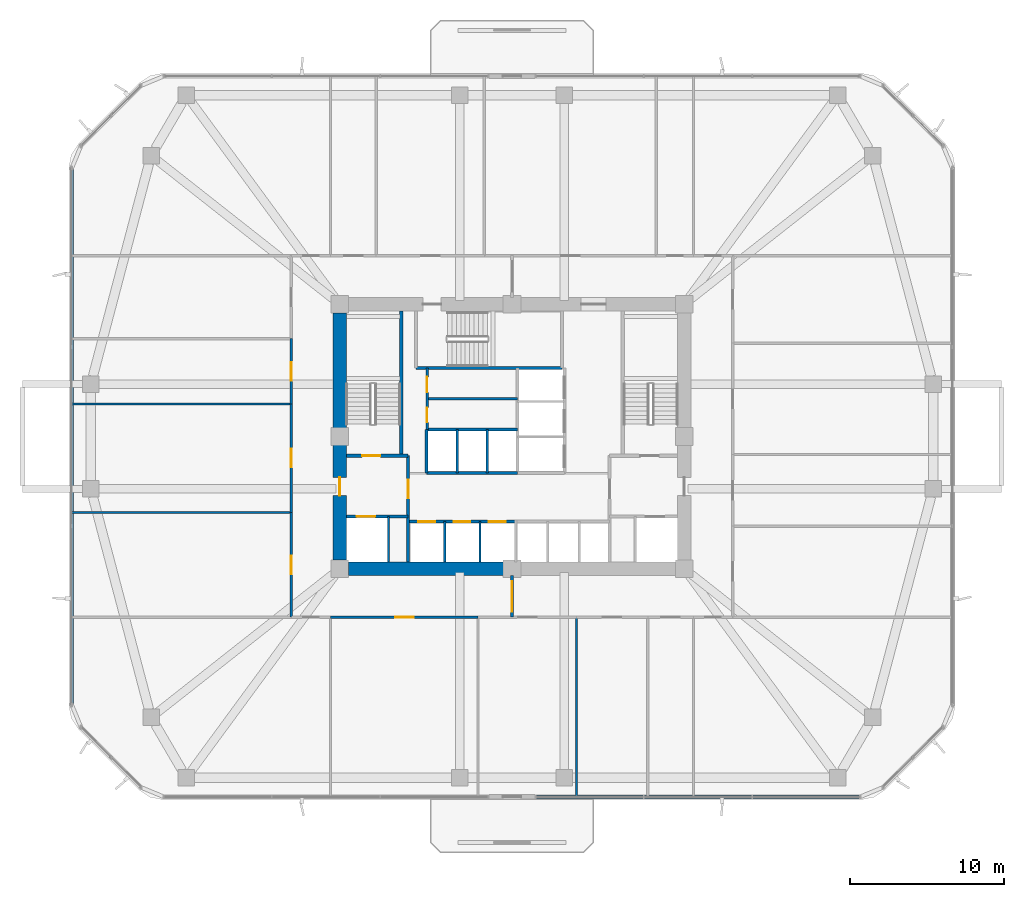
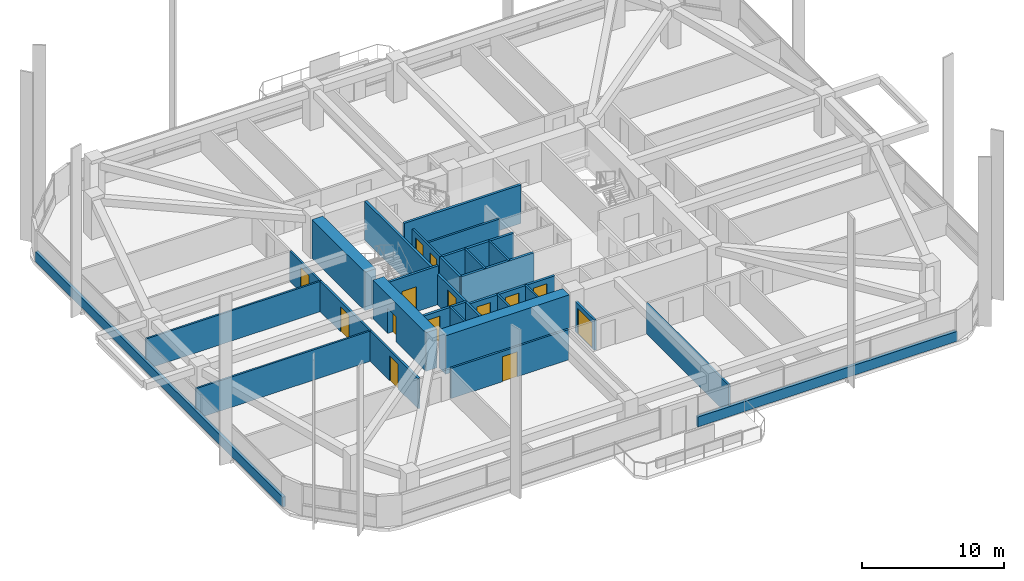
# One storey, part 9 of 17: 29 walls, 14 doors, 14 openings.
"""IFC4 building model written with IfcOpenShell, lengths in metres."""

from ifc_helpers import new_model, si_unit, derived_unit, direction, frame, frame_2d, origin, place, context, subcontext, project, spatial, rectangle, extrude, material, layer, layer_set, type_object, element, fill, save


model = new_model("IFC4")

# Units and contexts
model_context = context("Model", 3, precision=1e-05, world=origin(), true_north=direction((0.0, 1.0)))
body_context = subcontext(model_context, "Body", "Model", "MODEL_VIEW")
ifc_project = project(units=[si_unit("LENGTHUNIT", "METRE"), si_unit("AREAUNIT", "SQUARE_METRE"), si_unit("VOLUMEUNIT", "CUBIC_METRE"), si_unit("PLANEANGLEUNIT", "RADIAN"), si_unit("MASSUNIT", "GRAM", prefix="KILO"), derived_unit("THERMALTRANSMITTANCEUNIT", [(si_unit("POWERUNIT", "WATT"), 1), (si_unit("LENGTHUNIT", "METRE"), -2), (si_unit("THERMODYNAMICTEMPERATUREUNIT", "KELVIN"), -1)])], contexts=[model_context])

# Site, building, storey
site_placement = place(None, origin())
site = spatial("IfcSite", under=ifc_project, at=site_placement, CompositionType="ELEMENT")
building_placement = place(site_placement, origin())
building = spatial("IfcBuilding", under=site, at=building_placement, Name="Koralith Skygarden Medical Center", CompositionType="ELEMENT")
storey_placement = place(building_placement, frame((0.0, 0.0, 38.340087890625)))
storey = spatial("IfcBuildingStorey", under=building, at=storey_placement, Name="L09", CompositionType="ELEMENT", Elevation=38.340087890625)

# Walls
ifc_material_1 = material(Name="Gypsum Board Partition")
ifc_layer_1 = layer(ifc_material_1, 0.14990234375)
ifc_layer_set_1 = layer_set([ifc_layer_1], Name="Gypsum Board Partition")
wall_type_1 = type_object("IfcWallType", Name="Clinical Acoustic Partition 150", PredefinedType="PARTITIONING", material=ifc_layer_set_1)
wall_1_placement = place(storey_placement, frame((41.193115234375, 14.14990234375, 0.0), z_axis=(0.0, 0.0, 1.0), x_axis=(0.0, -1.0, 0.0)))
element("IfcWall", 1, at=wall_1_placement, inside=storey, type_object=wall_type_1, Name="L09 Clinical Acoustic Partition 150 W-PART-L09-S-03", PredefinedType="PARTITIONING", context=body_context, shape_type="SweptSolid", body=[
    extrude(rectangle(XDim=11.64990234375, YDim=0.14990234375, at=frame_2d((5.824951171875, 0.0))), origin(), (0.0, 0.0, 1.0), 2.60986328125),
])
for number, where, z_axis, x_axis, name in (
    (2, (22.64990234375, 20.965087890625, 0.0), (0.0, 0.0, 1.0), (-1.0, 0.0, 0.0), "L09 Clinical Acoustic Partition 150 W-PART-L09-W-01"),
    (3, (22.64990234375, 28.014892578125, 0.0), (0.0, 0.0, 1.0), (-1.0, 0.0, 0.0), "L09 Clinical Acoustic Partition 150 W-PART-L09-W-02"),
):
    element("IfcWall", number, at=place(storey_placement, frame(where, z_axis=z_axis, x_axis=x_axis)), inside=storey, type_object=wall_type_1, Name=name, PredefinedType="PARTITIONING", context=body_context, shape_type="SweptSolid", body=[
        extrude(rectangle(XDim=14.25, YDim=0.14990234375, at=frame_2d((7.125, 0.0))), origin(), (0.0, 0.0, 1.0), 2.60986328125),
    ])

# Wall, opening, door
ifc_layer_2 = layer(ifc_material_1, 0.1650390625)
ifc_layer_set_2 = layer_set([ifc_layer_2], Name="Gypsum Board Partition")
wall_type_2 = type_object("IfcWallType", Name="Clinical Corridor Partition 165", PredefinedType="PARTITIONING", material=ifc_layer_set_2)
wall_2_placement = place(storey_placement, frame((25.199951171875, 14.14990234375, 0.0), z_axis=(0.0, 0.0, 1.0), x_axis=(1.0, 0.0, 0.0)))
wall_2 = element("IfcWall", 4, at=wall_2_placement, inside=storey, type_object=wall_type_2, Name="L09 Clinical Corridor Partition 165 W-CORR-L09-S-02", PredefinedType="PARTITIONING", context=body_context, shape_type="SweptSolid", body=[
    extrude(rectangle(XDim=9.593994140625, YDim=0.1650390625, at=frame_2d((4.796875, 0.0))), origin(), (0.0, 0.0, 1.0), 2.60986328125),
])
opening_1_placement = place(wall_2_placement, frame((4.197021484375, 0.0, 0.0)))
opening_1 = element("IfcOpeningElement", 5, at=opening_1_placement, cuts=wall_2, Name="Opening D-CLN", PredefinedType="OPENING", context=body_context, shape_type="SweptSolid", body=[
    extrude(rectangle(XDim=1.199951171875, YDim=2.14990234375, at=frame_2d((0.60009765625, 1.074951171875))), frame((0.0, 0.092529296875, 0.0), z_axis=(0.0, -1.0, 0.0), x_axis=(1.0, 0.0, 0.0)), (0.0, 0.0, 1.0), 0.18505859375),
])
ifc_material_2 = material(Name="Aluminium 6063-T6", Category="aluminium")
door_type_1 = type_object("IfcDoorType", Name="Clinical Corridor Door D-CLN 1200", OperationType="NOTDEFINED", PredefinedType="DOOR", material=ifc_material_2)
door_1_placement = place(opening_1_placement, frame((1.199951171875, 0.0, 0.0), z_axis=(0.0, 0.0, 1.0), x_axis=(-1.0, 0.0, 0.0)))
door_1 = element("IfcDoor", 6, at=door_1_placement, inside=storey, type_object=door_type_1, Name="L09 Multidisciplinary Huddle Room 08 Door", OperationType="SINGLE_SWING_LEFT", OverallHeight=2.14990234375, OverallWidth=1.199951171875, PredefinedType="DOOR", context=body_context, shape_type="SweptSolid", body=[
    extrude(rectangle(XDim=1.199951171875, YDim=2.14990234375, at=frame_2d((0.60009765625, 1.074951171875))), frame((0.0, 0.02490234375, 0.0), z_axis=(0.0, -1.0, 0.0), x_axis=(1.0, 0.0, 0.0)), (0.0, 0.0, 1.0), 0.050048828125),
])
fill(opening_1, door_1)

wall_3_placement = place(storey_placement, frame((22.64990234375, 14.14990234375, 0.0), z_axis=(0.0, 0.0, 1.0), x_axis=(0.0, 1.0, 0.0)))
wall_3 = element("IfcWall", 7, at=wall_3_placement, inside=storey, type_object=wall_type_2, Name="L09 Clinical Corridor Partition 165 W-CORR-L09-W-01", PredefinedType="PARTITIONING", context=body_context, shape_type="SweptSolid", body=[
    extrude(rectangle(XDim=6.815185546875, YDim=0.1650390625, at=frame_2d((3.40771484375, 0.0))), origin(), (0.0, 0.0, 1.0), 2.60986328125),
])
opening_2_placement = place(wall_3_placement, frame((2.806884765625, 0.0, 0.0)))
opening_2 = element("IfcOpeningElement", 8, at=opening_2_placement, cuts=wall_3, Name="Opening D-CLN", PredefinedType="OPENING", context=body_context, shape_type="SweptSolid", body=[
    extrude(rectangle(XDim=1.199951171875, YDim=2.14990234375, at=frame_2d((0.60009765625, 1.074951171875))), frame((0.0, 0.092529296875, 0.0), z_axis=(0.0, -1.0, 0.0), x_axis=(1.0, 0.0, 0.0)), (0.0, 0.0, 1.0), 0.18505859375),
])
door_2_placement = place(opening_2_placement, frame((1.199951171875, 0.0, 0.0), z_axis=(0.0, 0.0, 1.0), x_axis=(-1.0, 0.0, 0.0)))
door_2 = element("IfcDoor", 9, at=door_2_placement, inside=storey, type_object=door_type_1, Name="L09 Multidisciplinary Huddle Room 13 Door", OperationType="SINGLE_SWING_RIGHT", OverallHeight=2.14990234375, OverallWidth=1.199951171875, PredefinedType="DOOR", context=body_context, shape_type="SweptSolid", body=[
    extrude(rectangle(XDim=1.199951171875, YDim=2.14990234375, at=frame_2d((0.60009765625, 1.074951171875))), frame((0.0, 0.02490234375, 0.0), z_axis=(0.0, -1.0, 0.0), x_axis=(1.0, 0.0, 0.0)), (0.0, 0.0, 1.0), 0.050048828125),
])
fill(opening_2, door_2)

wall_4_placement = place(storey_placement, frame((22.64990234375, 20.965087890625, 0.0), z_axis=(0.0, 0.0, 1.0), x_axis=(0.0, 1.0, 0.0)))
wall_4 = element("IfcWall", 10, at=wall_4_placement, inside=storey, type_object=wall_type_2, Name="L09 Clinical Corridor Partition 165 W-CORR-L09-W-02", PredefinedType="PARTITIONING", context=body_context, shape_type="SweptSolid", body=[
    extrude(rectangle(XDim=7.0498046875, YDim=0.1650390625, at=frame_2d((3.52490234375, 0.0))), origin(), (0.0, 0.0, 1.0), 2.60986328125),
])
opening_3_placement = place(wall_4_placement, frame((2.925048828125, 0.0, 0.0)))
opening_3 = element("IfcOpeningElement", 11, at=opening_3_placement, cuts=wall_4, Name="Opening D-CLN", PredefinedType="OPENING", context=body_context, shape_type="SweptSolid", body=[
    extrude(rectangle(XDim=1.199951171875, YDim=2.14990234375, at=frame_2d((0.60009765625, 1.074951171875))), frame((0.0, 0.092529296875, 0.0), z_axis=(0.0, -1.0, 0.0), x_axis=(1.0, 0.0, 0.0)), (0.0, 0.0, 1.0), 0.18505859375),
])
door_3_placement = place(opening_3_placement, frame((1.199951171875, 0.0, 0.0), z_axis=(0.0, 0.0, 1.0), x_axis=(-1.0, 0.0, 0.0)))
door_3 = element("IfcDoor", 12, at=door_3_placement, inside=storey, type_object=door_type_1, Name="L09 Clinical Consultation Office 14 Door", OperationType="SINGLE_SWING_LEFT", OverallHeight=2.14990234375, OverallWidth=1.199951171875, PredefinedType="DOOR", context=body_context, shape_type="SweptSolid", body=[
    extrude(rectangle(XDim=1.199951171875, YDim=2.14990234375, at=frame_2d((0.60009765625, 1.074951171875))), frame((0.0, 0.02490234375, 0.0), z_axis=(0.0, -1.0, 0.0), x_axis=(1.0, 0.0, 0.0)), (0.0, 0.0, 1.0), 0.050048828125),
])
fill(opening_3, door_3)

wall_5_placement = place(storey_placement, frame((22.64990234375, 28.014892578125, 0.0), z_axis=(0.0, 0.0, 1.0), x_axis=(0.0, 1.0, 0.0)))
wall_5 = element("IfcWall", 13, at=wall_5_placement, inside=storey, type_object=wall_type_2, Name="L09 Clinical Corridor Partition 165 W-CORR-L09-W-03", PredefinedType="PARTITIONING", context=body_context, shape_type="SweptSolid", body=[
    extrude(rectangle(XDim=4.239013671875, YDim=0.1650390625, at=frame_2d((2.11962890625, 0.0))), origin(), (0.0, 0.0, 1.0), 2.60986328125),
])
opening_4_placement = place(wall_5_placement, frame((1.51904296875, 0.0, 0.0)))
opening_4 = element("IfcOpeningElement", 14, at=opening_4_placement, cuts=wall_5, Name="Opening D-CLN", PredefinedType="OPENING", context=body_context, shape_type="SweptSolid", body=[
    extrude(rectangle(XDim=1.199951171875, YDim=2.14990234375, at=frame_2d((0.60009765625, 1.074951171875))), frame((0.0, 0.092529296875, 0.0), z_axis=(0.0, -1.0, 0.0), x_axis=(1.0, 0.0, 0.0)), (0.0, 0.0, 1.0), 0.18505859375),
])
door_4_placement = place(opening_4_placement, frame((1.199951171875, 0.0, 0.0), z_axis=(0.0, 0.0, 1.0), x_axis=(-1.0, 0.0, 0.0)))
door_4 = element("IfcDoor", 15, at=door_4_placement, inside=storey, type_object=door_type_1, Name="L09 Ward Mobility Therapy Exercise Hall 15 Door", OperationType="SINGLE_SWING_RIGHT", OverallHeight=2.14990234375, OverallWidth=1.199951171875, PredefinedType="DOOR", context=body_context, shape_type="SweptSolid", body=[
    extrude(rectangle(XDim=1.199951171875, YDim=2.14990234375, at=frame_2d((0.60009765625, 1.074951171875))), frame((0.0, 0.02490234375, 0.0), z_axis=(0.0, -1.0, 0.0), x_axis=(1.0, 0.0, 0.0)), (0.0, 0.0, 1.0), 0.050048828125),
])
fill(opening_4, door_4)

ifc_layer_3 = layer(ifc_material_1, 0.199951171875)
ifc_layer_set_3 = layer_set([ifc_layer_3], Name="Gypsum Board Partition")
wall_type_3 = type_object("IfcWallType", Name="Fire Shaft Wall 200", PredefinedType="SOLIDWALL", material=ifc_layer_set_3)
wall_6_placement = place(storey_placement, frame((26.25, 20.699951171875, 0.0), z_axis=(0.0, 0.0, 1.0), x_axis=(1.0, 0.0, 0.0)))
wall_6 = element("IfcWall", 16, at=wall_6_placement, inside=storey, type_object=wall_type_3, Name="L09 Fire Shaft Wall 200 W-CORE-L09-FF1-N", PredefinedType="SOLIDWALL", context=body_context, shape_type="SweptSolid", body=[
    extrude(rectangle(XDim=4.0, YDim=0.199951171875, at=frame_2d((2.0, 0.0))), origin(), (0.0, 0.0, 1.0), 2.60986328125),
])
opening_5_placement = place(wall_6_placement, frame((0.64990234375, 0.0, 0.0)))
opening_5 = element("IfcOpeningElement", 17, at=opening_5_placement, cuts=wall_6, Name="Opening LD-FF", PredefinedType="OPENING", context=body_context, shape_type="SweptSolid", body=[
    extrude(rectangle(XDim=1.199951171875, YDim=2.14990234375, at=frame_2d((0.60009765625, 1.074951171875))), frame((0.0, 0.10986328125, 0.0), z_axis=(0.0, -1.0, 0.0), x_axis=(1.0, 0.0, 0.0)), (0.0, 0.0, 1.0), 0.219970703125),
])
ifc_material_3 = material(Name="Steel ASTM A500 Grade C", Category="steel")
door_type_2 = type_object("IfcDoorType", Name="Fire Lift Sliding Landing Door LD-FF 1200", OperationType="NOTDEFINED", PredefinedType="DOOR", material=ifc_material_3)
door_5_placement = place(opening_5_placement, origin())
door_5 = element("IfcDoor", 18, at=door_5_placement, inside=storey, type_object=door_type_2, Name="L09 Fire Service Elevator FF1 Landing Door", OperationType="SLIDING_TO_LEFT", OverallHeight=2.14990234375, OverallWidth=1.199951171875, PredefinedType="DOOR", context=body_context, shape_type="SweptSolid", body=[
    extrude(rectangle(XDim=1.199951171875, YDim=2.14990234375, at=frame_2d((0.60009765625, 1.074951171875))), frame((0.0, 0.02490234375, 0.0), z_axis=(0.0, -1.0, 0.0), x_axis=(1.0, 0.0, 0.0)), (0.0, 0.0, 1.0), 0.050048828125),
])
fill(opening_5, door_5)

wall_7_placement = place(storey_placement, frame((30.25, 17.75, 0.0), z_axis=(0.0, 0.0, 1.0), x_axis=(0.0, 1.0, 0.0)))
wall_7 = element("IfcWall", 19, at=wall_7_placement, inside=storey, type_object=wall_type_3, Name="L09 Fire Shaft Wall 200 W-CORE-L09-FSAEW-E", PredefinedType="SOLIDWALL", context=body_context, shape_type="SweptSolid", body=[
    extrude(rectangle(XDim=6.89990234375, YDim=0.199951171875, at=frame_2d((3.449951171875, 0.0))), origin(), (0.0, 0.0, 1.0), 2.60986328125),
])
opening_6_placement = place(wall_7_placement, frame((4.14990234375, 0.0, 0.0)))
opening_6 = element("IfcOpeningElement", 20, at=opening_6_placement, cuts=wall_7, Name="Opening D-ST60", PredefinedType="OPENING", context=body_context, shape_type="SweptSolid", body=[
    extrude(rectangle(XDim=1.199951171875, YDim=2.14990234375, at=frame_2d((0.60009765625, 1.074951171875))), frame((0.0, 0.10986328125, 0.0), z_axis=(0.0, -1.0, 0.0), x_axis=(1.0, 0.0, 0.0)), (0.0, 0.0, 1.0), 0.219970703125),
])
door_type_3 = type_object("IfcDoorType", Name="Smokeproof Stair Fire Door FD60S 1200", OperationType="NOTDEFINED", PredefinedType="DOOR", material=ifc_material_3)
door_6_placement = place(opening_6_placement, origin())
door_6 = element("IfcDoor", 21, at=door_6_placement, inside=storey, type_object=door_type_3, Name="L09 West Firefighting Lobby Inner Fire Door", OperationType="SINGLE_SWING_LEFT", OverallHeight=2.14990234375, OverallWidth=1.199951171875, PredefinedType="DOOR", context=body_context, shape_type="SweptSolid", body=[
    extrude(rectangle(XDim=1.199951171875, YDim=2.14990234375, at=frame_2d((0.60009765625, 1.074951171875))), frame((0.0, 0.02490234375, 0.0), z_axis=(0.0, -1.0, 0.0), x_axis=(1.0, 0.0, 0.0)), (0.0, 0.0, 1.0), 0.050048828125),
])
fill(opening_6, door_6)

# Wall, openings, doors
wall_8_placement = place(storey_placement, frame((30.25, 20.360107421875, 0.0), z_axis=(0.0, 0.0, 1.0), x_axis=(1.0, 0.0, 0.0)))
wall_8 = element("IfcWall", 22, at=wall_8_placement, inside=storey, type_object=wall_type_3, Name="L09 Fire Shaft Wall 200 W-CORE-L09-PL-N", PredefinedType="SOLIDWALL", context=body_context, shape_type="SweptSolid", body=[
    extrude(rectangle(XDim=7.0, YDim=0.199951171875, at=frame_2d((3.5, 0.0))), origin(), (0.0, 0.0, 1.0), 2.60986328125),
])
opening_7_placement = place(wall_8_placement, frame((0.64990234375, 0.0, 0.0)))
opening_7 = element("IfcOpeningElement", 23, at=opening_7_placement, cuts=wall_8, Name="Opening LD-P", PredefinedType="OPENING", context=body_context, shape_type="SweptSolid", body=[
    extrude(rectangle(XDim=1.10009765625, YDim=2.14990234375, at=frame_2d((0.550048828125, 1.074951171875))), frame((0.0, 0.10986328125, 0.0), z_axis=(0.0, -1.0, 0.0), x_axis=(1.0, 0.0, 0.0)), (0.0, 0.0, 1.0), 0.219970703125),
])
opening_8_placement = place(wall_8_placement, frame((2.949951171875, 0.0, 0.0)))
opening_8 = element("IfcOpeningElement", 24, at=opening_8_placement, cuts=wall_8, Name="Opening LD-P", PredefinedType="OPENING", context=body_context, shape_type="SweptSolid", body=[
    extrude(rectangle(XDim=1.10009765625, YDim=2.14990234375, at=frame_2d((0.550048828125, 1.074951171875))), frame((0.0, 0.10986328125, 0.0), z_axis=(0.0, -1.0, 0.0), x_axis=(1.0, 0.0, 0.0)), (0.0, 0.0, 1.0), 0.219970703125),
])
opening_9_placement = place(wall_8_placement, frame((5.25, 0.0, 0.0)))
opening_9 = element("IfcOpeningElement", 25, at=opening_9_placement, cuts=wall_8, Name="Opening LD-P", PredefinedType="OPENING", context=body_context, shape_type="SweptSolid", body=[
    extrude(rectangle(XDim=1.10009765625, YDim=2.14990234375, at=frame_2d((0.550048828125, 1.074951171875))), frame((0.0, 0.10986328125, 0.0), z_axis=(0.0, -1.0, 0.0), x_axis=(1.0, 0.0, 0.0)), (0.0, 0.0, 1.0), 0.219970703125),
])
door_type_4 = type_object("IfcDoorType", Name="Passenger Lift Sliding Landing Door LD-P 1100", OperationType="NOTDEFINED", PredefinedType="DOOR", material=ifc_material_3)
door_7_placement = place(opening_7_placement, origin())
door_7 = element("IfcDoor", 26, at=door_7_placement, inside=storey, type_object=door_type_4, Name="L09 Passenger Elevator PL1 Landing Door", OperationType="SLIDING_TO_LEFT", OverallHeight=2.14990234375, OverallWidth=1.10009765625, PredefinedType="DOOR", context=body_context, shape_type="SweptSolid", body=[
    extrude(rectangle(XDim=1.10009765625, YDim=2.14990234375, at=frame_2d((0.550048828125, 1.074951171875))), frame((0.0, 0.02490234375, 0.0), z_axis=(0.0, -1.0, 0.0), x_axis=(1.0, 0.0, 0.0)), (0.0, 0.0, 1.0), 0.050048828125),
])
fill(opening_7, door_7)
door_8_placement = place(opening_8_placement, origin())
door_8 = element("IfcDoor", 27, at=door_8_placement, inside=storey, type_object=door_type_4, Name="L09 Passenger Elevator PL2 Landing Door", OperationType="SLIDING_TO_LEFT", OverallHeight=2.14990234375, OverallWidth=1.10009765625, PredefinedType="DOOR", context=body_context, shape_type="SweptSolid", body=[
    extrude(rectangle(XDim=1.10009765625, YDim=2.14990234375, at=frame_2d((0.550048828125, 1.074951171875))), frame((0.0, 0.02490234375, 0.0), z_axis=(0.0, -1.0, 0.0), x_axis=(1.0, 0.0, 0.0)), (0.0, 0.0, 1.0), 0.050048828125),
])
fill(opening_8, door_8)
door_9_placement = place(opening_9_placement, origin())
door_9 = element("IfcDoor", 28, at=door_9_placement, inside=storey, type_object=door_type_4, Name="L09 Passenger Elevator PL3 Landing Door", OperationType="SLIDING_TO_LEFT", OverallHeight=2.14990234375, OverallWidth=1.10009765625, PredefinedType="DOOR", context=body_context, shape_type="SweptSolid", body=[
    extrude(rectangle(XDim=1.10009765625, YDim=2.14990234375, at=frame_2d((0.550048828125, 1.074951171875))), frame((0.0, 0.02490234375, 0.0), z_axis=(0.0, -1.0, 0.0), x_axis=(1.0, 0.0, 0.0)), (0.0, 0.0, 1.0), 0.050048828125),
])
fill(opening_9, door_9)

# Walls
for number, where, z_axis, x_axis, name in (
    (29, (31.449951171875, 23.5400390625, 0.0), (0.0, 0.0, 1.0), (1.0, 0.0, 0.0), "L09 Fire Shaft Wall 200 W-CORE-L09-PH-S"),
    (30, (31.449951171875, 26.35009765625, 0.0), (0.0, 0.0, 1.0), (1.0, 0.0, 0.0), "L09 Fire Shaft Wall 200 W-CORE-L09-PH-N"),
):
    element("IfcWall", number, at=place(storey_placement, frame(where, z_axis=z_axis, x_axis=x_axis)), inside=storey, type_object=wall_type_3, Name=name, PredefinedType="SOLIDWALL", context=body_context, shape_type="SweptSolid", body=[
        extrude(rectangle(XDim=5.900146484375, YDim=0.199951171875, at=frame_2d((2.9501953125, 0.0))), origin(), (0.0, 0.0, 1.0), 2.60986328125),
    ])
wall_9_placement = place(storey_placement, frame((31.449951171875, 23.5400390625, 0.0), z_axis=(0.0, 0.0, 1.0), x_axis=(0.0, 1.0, 0.0)))
element("IfcWall", 31, at=wall_9_placement, inside=storey, type_object=wall_type_3, Name="L09 Fire Shaft Wall 200 W-CORE-L09-PH-W", PredefinedType="SOLIDWALL", context=body_context, shape_type="SweptSolid", body=[
    extrude(rectangle(XDim=2.81005859375, YDim=0.199951171875, at=frame_2d((1.405029296875, 0.0))), origin(), (0.0, 0.0, 1.0), 2.60986328125),
])

# Wall, opening, door
ifc_layer_4 = layer(ifc_material_1, 0.179931640625)
ifc_layer_set_4 = layer_set([ifc_layer_4], Name="Gypsum Board Partition")
wall_type_4 = type_object("IfcWallType", Name="Group I-2 Smoke Barrier Wall 180", PredefinedType="PARTITIONING", material=ifc_layer_set_4)
wall_10_placement = place(storey_placement, frame((37.0, 14.14990234375, 0.0), z_axis=(0.0, 0.0, 1.0), x_axis=(0.0, 1.0, 0.0)))
wall_10 = element("IfcWall", 32, at=wall_10_placement, inside=storey, type_object=wall_type_4, Name="L09 Group I-2 Smoke Barrier Wall 180 W-SMK-L09-S", PredefinedType="PARTITIONING", context=body_context, shape_type="SweptSolid", body=[
    extrude(rectangle(XDim=2.7001953125, YDim=0.179931640625, at=frame_2d((1.35009765625, 0.0))), origin(), (0.0, 0.0, 1.0), 2.60986328125),
])
opening_10_placement = place(wall_10_placement, frame((0.35009765625, 0.0, 0.0)))
opening_10 = element("IfcOpeningElement", 33, at=opening_10_placement, cuts=wall_10, Name="Opening D-SMK", PredefinedType="OPENING", context=body_context, shape_type="SweptSolid", body=[
    extrude(rectangle(XDim=2.0, YDim=2.199951171875, at=frame_2d((1.0, 1.10009765625))), frame((0.0, 0.099853515625, 0.0), z_axis=(0.0, -1.0, 0.0), x_axis=(1.0, 0.0, 0.0)), (0.0, 0.0, 1.0), 0.199951171875),
])
door_type_5 = type_object("IfcDoorType", Name="Cross-Corridor Double Smoke Door FD60S 2000", OperationType="NOTDEFINED", PredefinedType="DOOR", material=ifc_material_3)
door_10_placement = place(opening_10_placement, frame((2.0, 0.0, 0.0), z_axis=(0.0, 0.0, 1.0), x_axis=(-1.0, 0.0, 0.0)))
door_10 = element("IfcDoor", 34, at=door_10_placement, inside=storey, type_object=door_type_5, Name="L09 S Smoke Compartment Cross-Corridor Door", OperationType="DOUBLE_DOOR_SINGLE_SWING", OverallHeight=2.199951171875, OverallWidth=2.0, PredefinedType="DOOR", context=body_context, shape_type="SweptSolid", body=[
    extrude(rectangle(XDim=2.0, YDim=2.199951171875, at=frame_2d((1.0, 1.10009765625))), frame((0.0, 0.02490234375, 0.0), z_axis=(0.0, -1.0, 0.0), x_axis=(1.0, 0.0, 0.0)), (0.0, 0.0, 1.0), 0.050048828125),
])
fill(opening_10, door_10)

# Walls
ifc_material_4 = material(Name="Warm Oolitic Limestone Cladding", Category="masonry")
ifc_layer_5 = layer(ifc_material_4, 0.239990234375)
ifc_layer_set_5 = layer_set([ifc_layer_5], Name="Warm Oolitic Limestone Cladding")
wall_type_5 = type_object("IfcWallType", Name="Limestone Spandrel Sill Backup Wall 240", PredefinedType="SOLIDWALL", material=ifc_layer_set_5)
wall_11_placement = place(storey_placement, frame((38.5400390625, 2.47998046875, 0.0), z_axis=(0.0, 0.0, 1.0), x_axis=(1.0, 0.0, 0.0)))
element("IfcWall", 35, at=wall_11_placement, inside=storey, type_object=wall_type_5, Name="L09 Sill Spandrel S-R", PredefinedType="SOLIDWALL", context=body_context, shape_type="SweptSolid", body=[
    extrude(rectangle(XDim=21.10498046875, YDim=0.239990234375, at=frame_2d((10.552490234375, 0.0))), origin(), (0.0, 0.0, 1.0), 0.849853515625),
])
wall_12_placement = place(storey_placement, frame((8.3798828125, 43.344970703125, 0.0), z_axis=(0.0, 0.0, 1.0), x_axis=(0.0, -1.0, 0.0)))
element("IfcWall", 36, at=wall_12_placement, inside=storey, type_object=wall_type_5, Name="L09 Sill Spandrel W", PredefinedType="SOLIDWALL", context=body_context, shape_type="SweptSolid", body=[
    extrude(rectangle(XDim=34.889892578125, YDim=0.239990234375, at=frame_2d((17.44482421875, 0.0))), origin(), (0.0, 0.0, 1.0), 0.849853515625),
])
ifc_material_5 = material(Name="Concrete C70/85", Category="concrete")
ifc_layer_6 = layer(ifc_material_5, 0.89990234375)
ifc_layer_set_6 = layer_set([ifc_layer_6], Name="Concrete C70/85")
wall_type_6 = type_object("IfcWallType", Name="Lower Core Shear Wall 900", PredefinedType="SHEAR", material=ifc_layer_set_6)
wall_13_placement = place(storey_placement, frame((26.364990234375, 17.300048828125, 0.0), z_axis=(0.0, 0.0, 1.0), x_axis=(1.0, 0.0, 0.0)))
element("IfcWall", 37, at=wall_13_placement, inside=storey, type_object=wall_type_6, Name="L09 Core Shear Wall Segment 1", PredefinedType="SHEAR", context=body_context, shape_type="SweptSolid", body=[
    extrude(rectangle(XDim=10.070068359375, YDim=0.89990234375, at=frame_2d((5.03515625, 0.0))), origin(), (0.0, 0.0, 1.0), 3.31982421875),
])
wall_14_placement = place(storey_placement, frame((25.800048828125, 33.93505859375, 0.0), z_axis=(0.0, 0.0, 1.0), x_axis=(0.0, -1.0, 0.0)))
element("IfcWall", 38, at=wall_14_placement, inside=storey, type_object=wall_type_6, Name="L09 Core Shear Wall Segment 7", PredefinedType="SHEAR", context=body_context, shape_type="SweptSolid", body=[
    extrude(rectangle(XDim=7.469970703125, YDim=0.89990234375, at=frame_2d((3.73486328125, 0.0))), origin(), (0.0, 0.0, 1.0), 3.31982421875),
])

# Wall, opening, door
wall_15_placement = place(storey_placement, frame((25.800048828125, 25.3349609375, 0.0), z_axis=(0.0, 0.0, 1.0), x_axis=(0.0, -1.0, 0.0)))
wall_15 = element("IfcWall", 39, at=wall_15_placement, inside=storey, type_object=wall_type_6, Name="L09 Core Shear Wall Segment 8", PredefinedType="SHEAR", context=body_context, shape_type="SweptSolid", body=[
    extrude(rectangle(XDim=7.469970703125, YDim=0.89990234375, at=frame_2d((3.73486328125, 0.0))), origin(), (0.0, 0.0, 1.0), 3.31982421875),
])
opening_11_placement = place(wall_15_placement, frame((2.0849609375, 0.0, 0.0)))
opening_11 = element("IfcOpeningElement", 40, at=opening_11_placement, cuts=wall_15, Name="Opening D-ST60", PredefinedType="OPENING", context=body_context, shape_type="SweptSolid", body=[
    extrude(rectangle(XDim=1.199951171875, YDim=2.14990234375, at=frame_2d((0.60009765625, 1.074951171875))), frame((0.0, 0.4599609375, 0.0), z_axis=(0.0, -1.0, 0.0), x_axis=(1.0, 0.0, 0.0)), (0.0, 0.0, 1.0), 0.919921875),
])
door_11_placement = place(opening_11_placement, frame((1.199951171875, 0.0, 0.0), z_axis=(0.0, 0.0, 1.0), x_axis=(-1.0, 0.0, 0.0)))
door_11 = element("IfcDoor", 41, at=door_11_placement, inside=storey, type_object=door_type_3, Name="L09 West Corridor to Firefighting Lobby Door", OperationType="SINGLE_SWING_LEFT", OverallHeight=2.14990234375, OverallWidth=1.199951171875, PredefinedType="DOOR", context=body_context, shape_type="SweptSolid", body=[
    extrude(rectangle(XDim=1.199951171875, YDim=2.14990234375, at=frame_2d((0.60009765625, 1.074951171875))), frame((0.0, 0.02490234375, 0.0), z_axis=(0.0, -1.0, 0.0), x_axis=(1.0, 0.0, 0.0)), (0.0, 0.0, 1.0), 0.050048828125),
])
fill(opening_11, door_11)

# Wall, openings, doors
ifc_layer_7 = layer(ifc_material_1, 0.1650390625)
ifc_layer_set_7 = layer_set([ifc_layer_7], Name="Gypsum Board Partition")
wall_type_7 = type_object("IfcWallType", Name="Plumbing Wet Wall 165", PredefinedType="PLUMBINGWALL", material=ifc_layer_set_7)
wall_16_placement = place(storey_placement, frame((31.47998046875, 26.320068359375, 0.0), z_axis=(0.0, 0.0, 1.0), x_axis=(0.0, 1.0, 0.0)))
wall_16 = element("IfcWall", 42, at=wall_16_placement, inside=storey, type_object=wall_type_7, Name="L09 Plumbing Wet Wall 165 W-CORE-L09-FLEX-W", PredefinedType="PLUMBINGWALL", context=body_context, shape_type="SweptSolid", body=[
    extrude(rectangle(XDim=4.0400390625, YDim=0.1650390625, at=frame_2d((2.02001953125, 0.0))), origin(), (0.0, 0.0, 1.0), 2.60986328125),
])
opening_12_placement = place(wall_16_placement, frame((0.5, 0.0, 0.0)))
opening_12 = element("IfcOpeningElement", 43, at=opening_12_placement, cuts=wall_16, Name="Opening D-WC", PredefinedType="OPENING", context=body_context, shape_type="SweptSolid", body=[
    extrude(rectangle(XDim=0.949951171875, YDim=2.10009765625, at=frame_2d((0.47509765625, 1.050048828125))), frame((0.0, 0.092529296875, 0.0), z_axis=(0.0, -1.0, 0.0), x_axis=(1.0, 0.0, 0.0)), (0.0, 0.0, 1.0), 0.18505859375),
])
opening_13_placement = place(wall_16_placement, frame((2.449951171875, 0.0, 0.0)))
opening_13 = element("IfcOpeningElement", 44, at=opening_13_placement, cuts=wall_16, Name="Opening D-SUP", PredefinedType="OPENING", context=body_context, shape_type="SweptSolid", body=[
    extrude(rectangle(XDim=1.0, YDim=2.14990234375, at=frame_2d((0.5, 1.074951171875))), frame((0.0, 0.092529296875, 0.0), z_axis=(0.0, -1.0, 0.0), x_axis=(1.0, 0.0, 0.0)), (0.0, 0.0, 1.0), 0.18505859375),
])
door_type_6 = type_object("IfcDoorType", Name="Accessible Toilet Door D-WC 950", OperationType="NOTDEFINED", PredefinedType="DOOR", material=ifc_material_2)
door_12_placement = place(opening_12_placement, frame((0.949951171875, 0.0, 0.0), z_axis=(0.0, 0.0, 1.0), x_axis=(-1.0, 0.0, 0.0)))
door_12 = element("IfcDoor", 45, at=door_12_placement, inside=storey, type_object=door_type_6, Name="L09 Core Accessible WC Door", OperationType="SINGLE_SWING_LEFT", OverallHeight=2.10009765625, OverallWidth=0.949951171875, PredefinedType="DOOR", context=body_context, shape_type="SweptSolid", body=[
    extrude(rectangle(XDim=0.949951171875, YDim=2.10009765625, at=frame_2d((0.47509765625, 1.050048828125))), frame((0.0, 0.02490234375, 0.0), z_axis=(0.0, -1.0, 0.0), x_axis=(1.0, 0.0, 0.0)), (0.0, 0.0, 1.0), 0.050048828125),
])
fill(opening_12, door_12)
door_type_7 = type_object("IfcDoorType", Name="Clinical Support Door D-SUP 1000", OperationType="NOTDEFINED", PredefinedType="DOOR", material=ifc_material_2)
door_13_placement = place(opening_13_placement, frame((1.0, 0.0, 0.0), z_axis=(0.0, 0.0, 1.0), x_axis=(-1.0, 0.0, 0.0)))
door_13 = element("IfcDoor", 46, at=door_13_placement, inside=storey, type_object=door_type_7, Name="L09 Core Clean Utility Door", OperationType="SINGLE_SWING_RIGHT", OverallHeight=2.14990234375, OverallWidth=1.0, PredefinedType="DOOR", context=body_context, shape_type="SweptSolid", body=[
    extrude(rectangle(XDim=1.0, YDim=2.14990234375, at=frame_2d((0.5, 1.074951171875))), frame((0.0, 0.02490234375, 0.0), z_axis=(0.0, -1.0, 0.0), x_axis=(1.0, 0.0, 0.0)), (0.0, 0.0, 1.0), 0.050048828125),
])
fill(opening_13, door_13)

# Walls
wall_17_placement = place(storey_placement, frame((31.47998046875, 28.340087890625, 0.0), z_axis=(0.0, 0.0, 1.0), x_axis=(1.0, 0.0, 0.0)))
element("IfcWall", 47, at=wall_17_placement, inside=storey, type_object=wall_type_7, Name="L09 Plumbing Wet Wall 165 W-CORE-L09-FLEX-H0", PredefinedType="PLUMBINGWALL", context=body_context, shape_type="SweptSolid", body=[
    extrude(rectangle(XDim=5.8701171875, YDim=0.1650390625, at=frame_2d((2.93505859375, 0.0))), origin(), (0.0, 0.0, 1.0), 2.60986328125),
])
ifc_layer_8 = layer(ifc_material_1, 0.14990234375)
ifc_layer_set_8 = layer_set([ifc_layer_8], Name="Gypsum Board Partition")
wall_type_8 = type_object("IfcWallType", Name="Shaft Partition Wall 150", PredefinedType="PARTITIONING", material=ifc_layer_set_8)
wall_18_placement = place(storey_placement, frame((28.969970703125, 17.75, 0.0), z_axis=(0.0, 0.0, 1.0), x_axis=(0.0, 1.0, 0.0)))
element("IfcWall", 48, at=wall_18_placement, inside=storey, type_object=wall_type_8, Name="L09 Shaft Partition Wall 150 W-CORE-L09-RSRW-DIV", PredefinedType="PARTITIONING", context=body_context, shape_type="SweptSolid", body=[
    extrude(rectangle(XDim=2.949951171875, YDim=0.14990234375, at=frame_2d((1.47509765625, 0.0))), origin(), (0.0, 0.0, 1.0), 2.60986328125),
])
for number, where, z_axis, x_axis, name in (
    (49, (32.6201171875, 17.75, 0.0), (0.0, 0.0, 1.0), (0.0, 1.0, 0.0), "L09 Shaft Partition Wall 150 W-CORE-L09-PL-D1"),
    (50, (34.919921875, 17.75, 0.0), (0.0, 0.0, 1.0), (0.0, 1.0, 0.0), "L09 Shaft Partition Wall 150 W-CORE-L09-PL-D2"),
):
    element("IfcWall", number, at=place(storey_placement, frame(where, z_axis=z_axis, x_axis=x_axis)), inside=storey, type_object=wall_type_8, Name=name, PredefinedType="PARTITIONING", context=body_context, shape_type="SweptSolid", body=[
        extrude(rectangle(XDim=2.610107421875, YDim=0.14990234375, at=frame_2d((1.30517578125, 0.0))), origin(), (0.0, 0.0, 1.0), 2.60986328125),
    ])
for number, where, z_axis, x_axis, name in (
    (51, (33.449951171875, 23.5400390625, 0.0), (0.0, 0.0, 1.0), (0.0, 1.0, 0.0), "L09 Shaft Partition Wall 150 W-CORE-L09-PH-D1"),
    (52, (35.39990234375, 23.5400390625, 0.0), (0.0, 0.0, 1.0), (0.0, 1.0, 0.0), "L09 Shaft Partition Wall 150 W-CORE-L09-PH-D2"),
):
    element("IfcWall", number, at=place(storey_placement, frame(where, z_axis=z_axis, x_axis=x_axis)), inside=storey, type_object=wall_type_8, Name=name, PredefinedType="PARTITIONING", context=body_context, shape_type="SweptSolid", body=[
        extrude(rectangle(XDim=2.81005859375, YDim=0.14990234375, at=frame_2d((1.405029296875, 0.0))), origin(), (0.0, 0.0, 1.0), 2.60986328125),
    ])
ifc_material_6 = material(Name="Concrete C45/55", Category="concrete")
ifc_layer_9 = layer(ifc_material_6, 0.199951171875)
ifc_layer_set_9 = layer_set([ifc_layer_9], Name="Concrete C45/55")
wall_type_9 = type_object("IfcWallType", Name="Structural Stair Shaft Wall 200", PredefinedType="SHEAR", material=ifc_layer_set_9)
wall_19_placement = place(storey_placement, frame((29.800048828125, 24.64990234375, 0.0), z_axis=(0.0, 0.0, 1.0), x_axis=(0.0, 1.0, 0.0)))
element("IfcWall", 53, at=wall_19_placement, inside=storey, type_object=wall_type_9, Name="L09 Structural Stair Shaft Wall 200 W-CORE-L09-ST1-E", PredefinedType="SHEAR", context=body_context, shape_type="SweptSolid", body=[
    extrude(rectangle(XDim=9.400146484375, YDim=0.199951171875, at=frame_2d((4.7001953125, 0.0))), origin(), (0.0, 0.0, 1.0), 3.31982421875),
])

# Wall, opening, door
wall_20_placement = place(storey_placement, frame((26.25, 24.64990234375, 0.0), z_axis=(0.0, 0.0, 1.0), x_axis=(1.0, 0.0, 0.0)))
wall_20 = element("IfcWall", 54, at=wall_20_placement, inside=storey, type_object=wall_type_9, Name="L09 Structural Stair Shaft Wall 200 W-CORE-L09-ST1-S", PredefinedType="SHEAR", context=body_context, shape_type="SweptSolid", body=[
    extrude(rectangle(XDim=4.0, YDim=0.199951171875, at=frame_2d((2.0, 0.0))), origin(), (0.0, 0.0, 1.0), 3.31982421875),
])
opening_14_placement = place(wall_20_placement, frame((1.0, 0.0, 0.0)))
opening_14 = element("IfcOpeningElement", 55, at=opening_14_placement, cuts=wall_20, Name="Opening D-ST60", PredefinedType="OPENING", context=body_context, shape_type="SweptSolid", body=[
    extrude(rectangle(XDim=1.199951171875, YDim=2.14990234375, at=frame_2d((0.60009765625, 1.074951171875))), frame((0.0, 0.10986328125, 0.0), z_axis=(0.0, -1.0, 0.0), x_axis=(1.0, 0.0, 0.0)), (0.0, 0.0, 1.0), 0.219970703125),
])
door_14_placement = place(opening_14_placement, origin())
door_14 = element("IfcDoor", 56, at=door_14_placement, inside=storey, type_object=door_type_3, Name="L09 Exit Stair ST1 Fire Door", OperationType="SINGLE_SWING_LEFT", OverallHeight=2.14990234375, OverallWidth=1.199951171875, PredefinedType="DOOR", context=body_context, shape_type="SweptSolid", body=[
    extrude(rectangle(XDim=1.199951171875, YDim=2.14990234375, at=frame_2d((0.60009765625, 1.074951171875))), frame((0.0, 0.02490234375, 0.0), z_axis=(0.0, -1.0, 0.0), x_axis=(1.0, 0.0, 0.0)), (0.0, 0.0, 1.0), 0.050048828125),
])
fill(opening_14, door_14)

# Wall
wall_21_placement = place(storey_placement, frame((30.75, 30.360107421875, 0.0), z_axis=(0.0, 0.0, 1.0), x_axis=(1.0, 0.0, 0.0)))
element("IfcWall", 57, at=wall_21_placement, inside=storey, type_object=wall_type_9, Name="L09 Structural Stair Shaft Wall 200 W-CORE-L09-ST3-S", PredefinedType="SHEAR", context=body_context, shape_type="SweptSolid", body=[
    extrude(rectangle(XDim=9.5, YDim=0.199951171875, at=frame_2d((4.75, 0.0))), origin(), (0.0, 0.0, 1.0), 3.31982421875),
])

save(model, "model.ifc")
